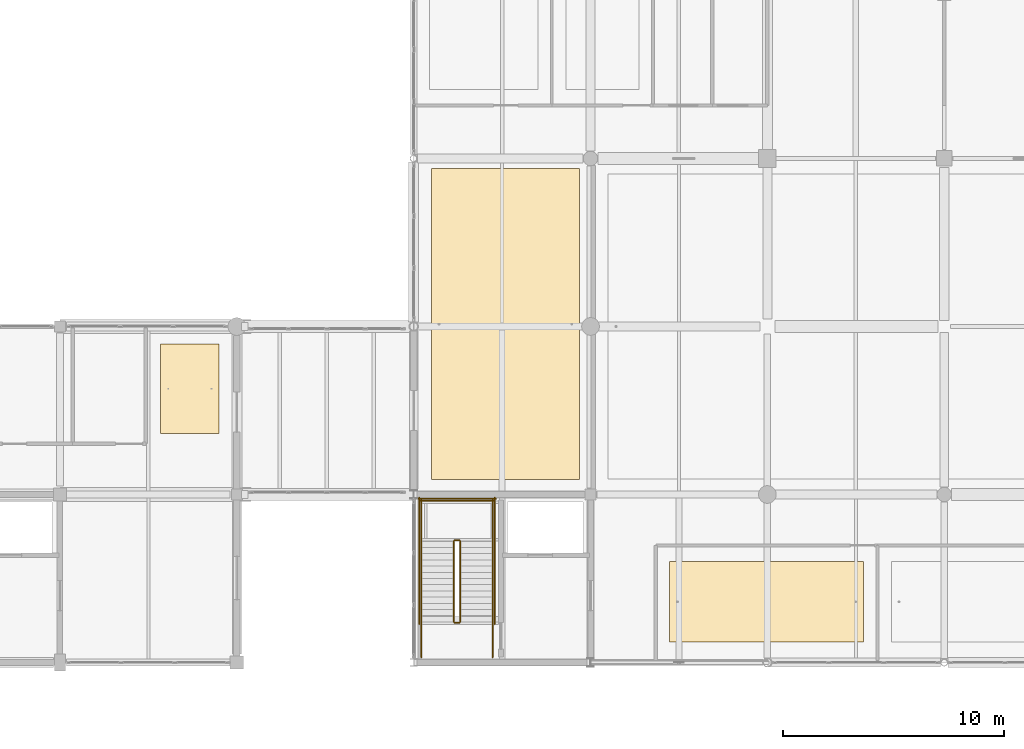
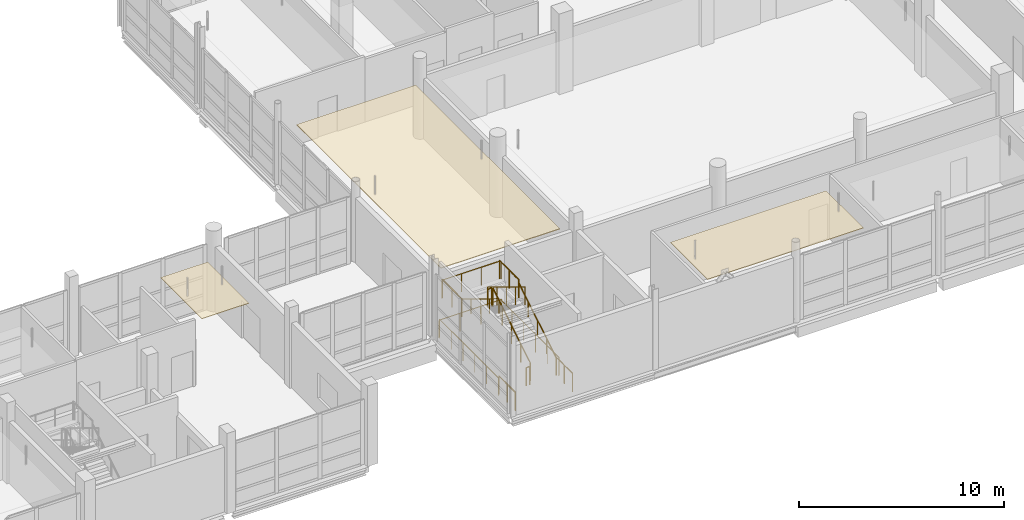
# One storey, part 136 of 141: 14 railings, 3 coverings.
"""IFC4 building model written with IfcOpenShell, lengths in metres."""

from ifc_helpers import new_model, si_unit, direction, frame, origin, origin_2d, place, context, subcontext, project, spatial, polyline, circle, outline, extrude, material, layer, layer_set, type_object, element, save


model = new_model("IFC4")

# Units and contexts
model_context = context("Model", 3, precision=1e-05, world=origin(), true_north=direction((0.0, 1.0)))
body_context = subcontext(model_context, "Body", "Model", "MODEL_VIEW")
ifc_project = project(units=[si_unit("LENGTHUNIT", "METRE"), si_unit("AREAUNIT", "SQUARE_METRE"), si_unit("VOLUMEUNIT", "CUBIC_METRE"), si_unit("PLANEANGLEUNIT", "RADIAN"), si_unit("MASSUNIT", "GRAM", prefix="KILO")], contexts=[model_context])

# Site, building, storey
site_placement = place(None, origin())
site = spatial("IfcSite", under=ifc_project, at=site_placement, CompositionType="ELEMENT")
building_placement = place(site_placement, origin())
building = spatial("IfcBuilding", under=site, at=building_placement, Name="Khelvaren Railside Concert Hall", CompositionType="ELEMENT")
storey_placement = place(building_placement, frame((0.0, 0.0, 10.199951171875)))
storey = spatial("IfcBuildingStorey", under=building, at=storey_placement, Name="L02", CompositionType="ELEMENT", Elevation=10.199951171875)

# Coverings
ifc_material_1 = material(Name="Mineral-wool acoustic baffle ceiling", Category="gypsum")
ifc_layer_1 = layer(ifc_material_1, 0.0400390625)
ifc_layer_set_1 = layer_set([ifc_layer_1], Name="Mineral-wool acoustic baffle ceiling")
covering_type_1 = type_object("IfcCoveringType", Name="CLG20", PredefinedType="CEILING", material=ifc_layer_set_1)
covering_1_placement = place(storey_placement, frame((0.0, 0.0, 3.41015625)))
element("IfcCovering", 1, at=covering_1_placement, inside=storey, type_object=covering_type_1, Name="Suspended Acoustic Ceiling V2 L02 West Bridge Foyer", PredefinedType="CEILING", context=body_context, shape_type="SweptSolid", body=[
    extrude(outline(polyline([(144.800048828125, 8.27001953125), (151.5, 8.27001953125), (151.5, 22.35009765625), (144.800048828125, 22.35009765625), (144.800048828125, 8.27001953125)])), origin(), (0.0, 0.0, 1.0), 0.039794921875),
])
ifc_material_2 = material(Name="Micro-perforated timber acoustic ceiling", Category="wood")
ifc_layer_2 = layer(ifc_material_2, 0.030029296875)
ifc_layer_set_2 = layer_set([ifc_layer_2], Name="Micro-perforated timber acoustic ceiling")
covering_type_2 = type_object("IfcCoveringType", Name="CLG77", PredefinedType="CEILING", material=ifc_layer_set_2)
covering_2_placement = place(storey_placement, frame((0.0, 0.0, 3.420166015625)))
element("IfcCovering", 2, at=covering_2_placement, inside=storey, type_object=covering_type_2, Name="Suspended Acoustic Ceiling Double Bass and Harp Store", PredefinedType="CEILING", context=body_context, shape_type="SweptSolid", body=[
    extrude(outline(polyline([(155.580078125, 0.929931640625), (164.343994140625, 0.929931640625), (164.343994140625, 4.570068359375), (155.580078125, 4.570068359375), (155.580078125, 0.929931640625)])), origin(), (0.0, 0.0, 1.0), 0.02978515625),
])
covering_3_placement = place(storey_placement, frame((0.0, 0.0, 3.420166015625)))
element("IfcCovering", 3, at=covering_3_placement, inside=storey, type_object=covering_type_2, Name="Suspended Acoustic Ceiling V3 L02 East Bridge Foyer", PredefinedType="CEILING", context=body_context, shape_type="SweptSolid", body=[
    extrude(outline(polyline([(132.550048828125, 10.3701171875), (135.199951171875, 10.3701171875), (135.199951171875, 14.39990234375), (132.550048828125, 14.39990234375), (132.550048828125, 10.3701171875)])), origin(), (0.0, 0.0, 1.0), 0.02978515625),
])

# Railings
ifc_material_3 = material(Name="Painted architectural steel", Category="steel")
railing_type_1 = type_object("IfcRailingType", Name="GRD86", PredefinedType="GUARDRAIL", material=ifc_material_3)
railing_1_placement = place(storey_placement, frame((146.110107421875, 1.840087890625, 0.17138671875)))
element("IfcRailing", 4, at=railing_1_placement, inside=storey, type_object=railing_type_1, Name="L02 ST-03 stair guard 1", PredefinedType="GUARDRAIL", context=body_context, shape_type="SweptSolid", body=[
    extrude(circle(Radius=0.02392578125, at=origin_2d()), frame((0.0, 0.0, 1.076171875), z_axis=(0.0, 0.852824790078, 0.522197163366), x_axis=(-1.0, 0.0, 0.0)), (0.0, 0.0, 1.0), 4.26806640625),
    extrude(circle(Radius=0.02099609375, at=origin_2d()), origin(), (0.0, 0.0, 1.0), 1.052001953125),
    extrude(circle(Radius=0.02099609375, at=origin_2d()), frame((0.0, 0.909912109375, 0.55712890625)), (0.0, 0.0, 1.0), 1.052001953125),
    extrude(circle(Radius=0.02099609375, at=origin_2d()), frame((0.0, 1.81982421875, 1.1142578125)), (0.0, 0.0, 1.0), 1.052001953125),
    extrude(circle(Radius=0.02099609375, at=origin_2d()), frame((0.0, 2.72998046875, 1.671630859375)), (0.0, 0.0, 1.0), 1.052001953125),
    extrude(circle(Radius=0.02099609375, at=origin_2d()), frame((0.0, 3.639892578125, 2.228759765625)), (0.0, 0.0, 1.0), 1.052001953125),
])
railing_2_placement = place(storey_placement, frame((146.06005859375, 5.530029296875, 2.400146484375)))
element("IfcRailing", 5, at=railing_2_placement, inside=storey, type_object=railing_type_1, Name="L02 ST-03 stair guard 2", PredefinedType="GUARDRAIL", context=body_context, shape_type="SweptSolid", body=[
    extrude(circle(Radius=0.02392578125, at=origin_2d()), frame((0.0, 0.0, 1.076171875), z_axis=(-1.0, 0.0, 0.0), x_axis=(0.0, -1.0, 0.0)), (0.0, 0.0, 1.0), 0.199951171875),
    extrude(circle(Radius=0.02099609375, at=origin_2d()), origin(), (0.0, 0.0, 1.0), 1.052001953125),
    extrude(circle(Radius=0.02099609375, at=origin_2d()), frame((-0.199951171875, 0.0, 0.0)), (0.0, 0.0, 1.0), 1.052001953125),
])
for number, where, name in (
    (6, (147.570068359375, 5.47998046875, 2.400146484375), "L02 ST-03 stair guard 3"),
    (7, (144.35009765625, 5.47998046875, 2.400146484375), "L02 ST-03 stair guard 4"),
):
    element("IfcRailing", number, at=place(storey_placement, frame(where)), inside=storey, type_object=railing_type_1, Name=name, PredefinedType="GUARDRAIL", context=body_context, shape_type="SweptSolid", body=[
        extrude(circle(Radius=0.02392578125, at=origin_2d()), frame((0.0, 0.0, 1.076171875), z_axis=(0.0, 1.0, 0.0), x_axis=(-1.0, 0.0, 0.0)), (0.0, 0.0, 1.0), 1.880126953125),
        extrude(circle(Radius=0.02099609375, at=origin_2d()), origin(), (0.0, 0.0, 1.0), 1.052001953125),
        extrude(circle(Radius=0.02099609375, at=origin_2d()), frame((0.0, 0.93994140625, 0.0)), (0.0, 0.0, 1.0), 1.052001953125),
        extrude(circle(Radius=0.02099609375, at=origin_2d()), frame((0.0, 1.880126953125, 0.0)), (0.0, 0.0, 1.0), 1.052001953125),
    ])
railing_3_placement = place(storey_placement, frame((147.6201171875, 7.31005859375, 2.400146484375)))
element("IfcRailing", 8, at=railing_3_placement, inside=storey, type_object=railing_type_1, Name="L02 ST-03 stair guard 5", PredefinedType="GUARDRAIL", context=body_context, shape_type="SweptSolid", body=[
    extrude(circle(Radius=0.02392578125, at=origin_2d()), frame((0.0, 0.0, 1.076171875), z_axis=(-1.0, 0.0, 0.0), x_axis=(0.0, -1.0, 0.0)), (0.0, 0.0, 1.0), 3.320068359375),
    extrude(circle(Radius=0.02099609375, at=origin_2d()), origin(), (0.0, 0.0, 1.0), 1.052001953125),
    extrude(circle(Radius=0.02099609375, at=origin_2d()), frame((-1.106689453125, 0.0, 0.0)), (0.0, 0.0, 1.0), 1.052001953125),
    extrude(circle(Radius=0.02099609375, at=origin_2d()), frame((-2.21337890625, 0.0, 0.0)), (0.0, 0.0, 1.0), 1.052001953125),
    extrude(circle(Radius=0.02099609375, at=origin_2d()), frame((-3.320068359375, 0.0, 0.0)), (0.0, 0.0, 1.0), 1.052001953125),
])
railing_4_placement = place(storey_placement, frame((145.81005859375, 5.47998046875, 2.571533203125)))
element("IfcRailing", 9, at=railing_4_placement, inside=storey, type_object=railing_type_1, Name="L02 ST-03 stair guard 6", PredefinedType="GUARDRAIL", context=body_context, shape_type="SweptSolid", body=[
    extrude(circle(Radius=0.02392578125, at=origin_2d()), frame((0.0, 0.0, 1.076171875), z_axis=(0.0, -0.852850264322, 0.5221555579), x_axis=(1.0, 0.0, 0.0)), (0.0, 0.0, 1.0), 4.267822265625),
    extrude(circle(Radius=0.02099609375, at=origin_2d()), origin(), (0.0, 0.0, 1.0), 1.052001953125),
    extrude(circle(Radius=0.02099609375, at=origin_2d()), frame((0.0, -0.909912109375, 0.55712890625)), (0.0, 0.0, 1.0), 1.052001953125),
    extrude(circle(Radius=0.02099609375, at=origin_2d()), frame((0.0, -1.81982421875, 1.1142578125)), (0.0, 0.0, 1.0), 1.052001953125),
    extrude(circle(Radius=0.02099609375, at=origin_2d()), frame((0.0, -2.72998046875, 1.67138671875)), (0.0, 0.0, 1.0), 1.052001953125),
    extrude(circle(Radius=0.02099609375, at=origin_2d()), frame((0.0, -3.639892578125, 2.228515625)), (0.0, 0.0, 1.0), 1.052001953125),
])
railing_5_placement = place(storey_placement, frame((146.06005859375, 1.7900390625, 0.0)))
element("IfcRailing", 10, at=railing_5_placement, inside=storey, type_object=railing_type_1, Name="L02 ST-03 stair guard 7", PredefinedType="GUARDRAIL", context=body_context, shape_type="SweptSolid", body=[
    extrude(circle(Radius=0.02392578125, at=origin_2d()), frame((0.0, 0.0, 1.076171875), z_axis=(-1.0, 0.0, 0.0), x_axis=(0.0, -1.0, 0.0)), (0.0, 0.0, 1.0), 0.199951171875),
    extrude(circle(Radius=0.02099609375, at=origin_2d()), origin(), (0.0, 0.0, 1.0), 1.052001953125),
    extrude(circle(Radius=0.02099609375, at=origin_2d()), frame((-0.199951171875, 0.0, 0.0)), (0.0, 0.0, 1.0), 1.052001953125),
])
for number, where, name in (
    (11, (147.570068359375, 0.239990234375, 0.0), "L02 ST-03 stair guard 8"),
    (12, (144.35009765625, 0.239990234375, 0.0), "L02 ST-03 stair guard 9"),
):
    element("IfcRailing", number, at=place(storey_placement, frame(where)), inside=storey, type_object=railing_type_1, Name=name, PredefinedType="GUARDRAIL", context=body_context, shape_type="SweptSolid", body=[
        extrude(circle(Radius=0.02392578125, at=origin_2d()), frame((0.0, 0.0, 1.076171875), z_axis=(0.0, 1.0, 0.0), x_axis=(-1.0, 0.0, 0.0)), (0.0, 0.0, 1.0), 1.60009765625),
        extrude(circle(Radius=0.02099609375, at=origin_2d()), origin(), (0.0, 0.0, 1.0), 1.052001953125),
        extrude(circle(Radius=0.02099609375, at=origin_2d()), frame((0.0, 0.800048828125, 0.0)), (0.0, 0.0, 1.0), 1.052001953125),
        extrude(circle(Radius=0.02099609375, at=origin_2d()), frame((0.0, 1.60009765625, 0.0)), (0.0, 0.0, 1.0), 1.052001953125),
    ])
for number, where, name in (
    (13, (147.669921875, 1.739990234375, 0.0), "L02 ST-03 stair guard 10"),
    (14, (144.25, 1.739990234375, 0.0), "L02 ST-03 stair guard 11"),
):
    element("IfcRailing", number, at=place(storey_placement, frame(where)), inside=storey, type_object=railing_type_1, Name=name, PredefinedType="GUARDRAIL", context=body_context, shape_type="SweptSolid", body=[
        extrude(circle(Radius=0.02392578125, at=origin_2d()), frame((0.0, 0.0, 1.076171875), z_axis=(0.0, 1.0, 0.0), x_axis=(-1.0, 0.0, 0.0)), (0.0, 0.0, 1.0), 5.719970703125),
        extrude(circle(Radius=0.02099609375, at=origin_2d()), origin(), (0.0, 0.0, 1.0), 1.052001953125),
        extrude(circle(Radius=0.02099609375, at=origin_2d()), frame((0.0, 1.14404296875, 0.0)), (0.0, 0.0, 1.0), 1.052001953125),
        extrude(circle(Radius=0.02099609375, at=origin_2d()), frame((0.0, 2.2880859375, 0.0)), (0.0, 0.0, 1.0), 1.052001953125),
        extrude(circle(Radius=0.02099609375, at=origin_2d()), frame((0.0, 3.431884765625, 0.0)), (0.0, 0.0, 1.0), 1.052001953125),
        extrude(circle(Radius=0.02099609375, at=origin_2d()), frame((0.0, 4.575927734375, 0.0)), (0.0, 0.0, 1.0), 1.052001953125),
        extrude(circle(Radius=0.02099609375, at=origin_2d()), frame((0.0, 5.719970703125, 0.0)), (0.0, 0.0, 1.0), 1.052001953125),
    ])
railing_6_placement = place(storey_placement, frame((147.719970703125, 7.409912109375, 0.0)))
element("IfcRailing", 15, at=railing_6_placement, inside=storey, type_object=railing_type_1, Name="L02 ST-03 stair guard 12", PredefinedType="GUARDRAIL", context=body_context, shape_type="SweptSolid", body=[
    extrude(circle(Radius=0.02392578125, at=origin_2d()), frame((0.0, 0.0, 1.076171875), z_axis=(-1.0, 0.0, 0.0), x_axis=(0.0, -1.0, 0.0)), (0.0, 0.0, 1.0), 3.52001953125),
    extrude(circle(Radius=0.02099609375, at=origin_2d()), origin(), (0.0, 0.0, 1.0), 1.052001953125),
    extrude(circle(Radius=0.02099609375, at=origin_2d()), frame((-1.17333984375, 0.0, 0.0)), (0.0, 0.0, 1.0), 1.052001953125),
    extrude(circle(Radius=0.02099609375, at=origin_2d()), frame((-2.3466796875, 0.0, 0.0)), (0.0, 0.0, 1.0), 1.052001953125),
    extrude(circle(Radius=0.02099609375, at=origin_2d()), frame((-3.52001953125, 0.0, 0.0)), (0.0, 0.0, 1.0), 1.052001953125),
])
ifc_material_4 = material(Name="Brushed stainless steel Grade 316", Category="steel")
railing_type_2 = type_object("IfcRailingType", Name="HRL59", PredefinedType="HANDRAIL", material=ifc_material_4)
railing_7_placement = place(storey_placement, frame((147.570068359375, 1.840087890625, 0.17138671875)))
element("IfcRailing", 16, at=railing_7_placement, inside=storey, type_object=railing_type_2, Name="L02 ST-03 stair handrail 1", PredefinedType="HANDRAIL", context=body_context, shape_type="SweptSolid", body=[
    extrude(circle(Radius=0.02392578125, at=origin_2d()), frame((0.0, 0.0, 0.8759765625), z_axis=(0.0, 0.852824790078, 0.522197163366), x_axis=(-1.0, 0.0, 0.0)), (0.0, 0.0, 1.0), 4.26806640625),
    extrude(circle(Radius=0.02099609375, at=origin_2d()), origin(), (0.0, 0.0, 1.0), 0.851806640625),
    extrude(circle(Radius=0.02099609375, at=origin_2d()), frame((0.0, 0.909912109375, 0.55712890625)), (0.0, 0.0, 1.0), 0.851806640625),
    extrude(circle(Radius=0.02099609375, at=origin_2d()), frame((0.0, 1.81982421875, 1.1142578125)), (0.0, 0.0, 1.0), 0.851806640625),
    extrude(circle(Radius=0.02099609375, at=origin_2d()), frame((0.0, 2.72998046875, 1.671630859375)), (0.0, 0.0, 1.0), 0.851806640625),
    extrude(circle(Radius=0.02099609375, at=origin_2d()), frame((0.0, 3.639892578125, 2.228759765625)), (0.0, 0.0, 1.0), 0.851806640625),
])
railing_8_placement = place(storey_placement, frame((144.35009765625, 5.47998046875, 2.571533203125)))
element("IfcRailing", 17, at=railing_8_placement, inside=storey, type_object=railing_type_2, Name="L02 ST-03 stair handrail 2", PredefinedType="HANDRAIL", context=body_context, shape_type="SweptSolid", body=[
    extrude(circle(Radius=0.02392578125, at=origin_2d()), frame((0.0, 0.0, 0.8759765625), z_axis=(0.0, -0.852850264322, 0.5221555579), x_axis=(1.0, 0.0, 0.0)), (0.0, 0.0, 1.0), 4.267822265625),
    extrude(circle(Radius=0.02099609375, at=origin_2d()), origin(), (0.0, 0.0, 1.0), 0.851806640625),
    extrude(circle(Radius=0.02099609375, at=origin_2d()), frame((0.0, -0.909912109375, 0.55712890625)), (0.0, 0.0, 1.0), 0.851806640625),
    extrude(circle(Radius=0.02099609375, at=origin_2d()), frame((0.0, -1.81982421875, 1.1142578125)), (0.0, 0.0, 1.0), 0.851806640625),
    extrude(circle(Radius=0.02099609375, at=origin_2d()), frame((0.0, -2.72998046875, 1.67138671875)), (0.0, 0.0, 1.0), 0.851806640625),
    extrude(circle(Radius=0.02099609375, at=origin_2d()), frame((0.0, -3.639892578125, 2.228515625)), (0.0, 0.0, 1.0), 0.851806640625),
])

save(model, "model.ifc")
